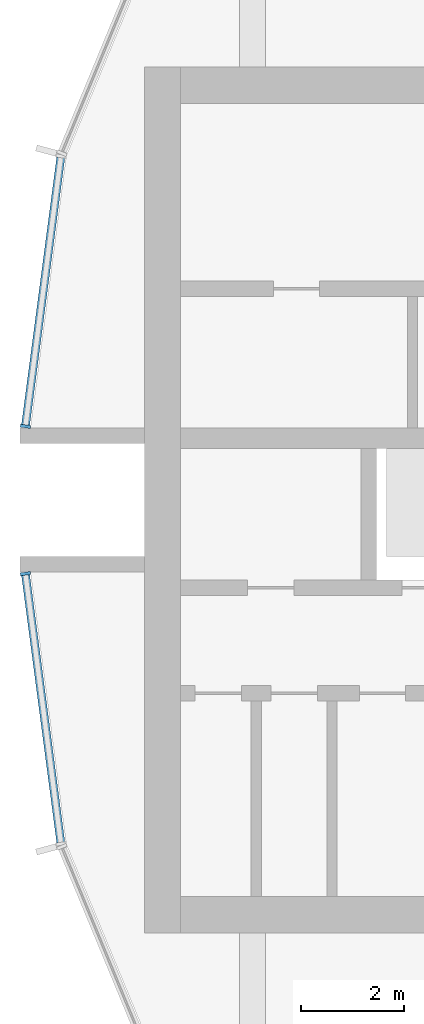
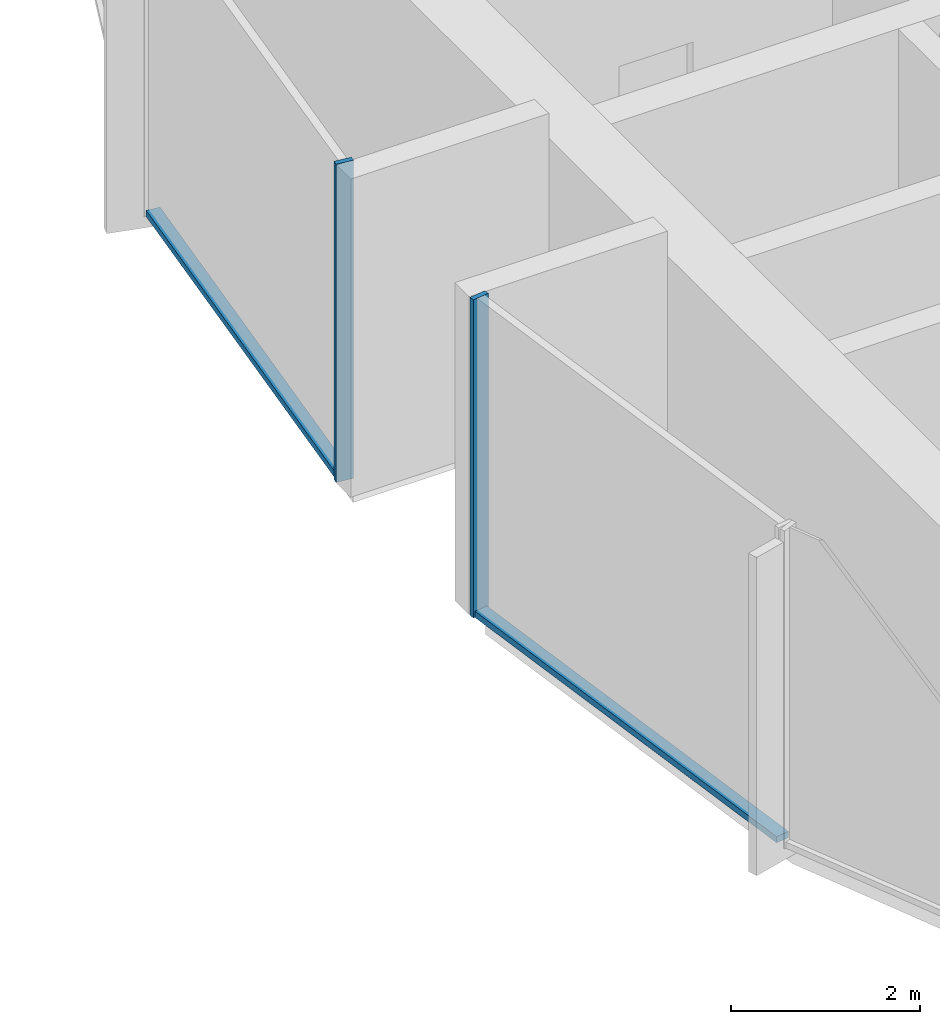
# One storey, part 3 of 15: 4 members, 2 elements without a shape of their own.
"""IFC4 building model written with IfcOpenShell, lengths in metres."""

from ifc_helpers import new_model, si_unit, direction, frame, origin, origin_2d, place, context, subcontext, project, spatial, rectangle, extrude, material, layer, layer_set, material_profile, profile_set, type_object, element, aggregate, save


model = new_model("IFC4")

# Units and contexts
model_context = context("Model", 3, precision=1e-05, world=origin(), true_north=direction((0.0, 1.0)))
body_context = subcontext(model_context, "Body", "Model", "MODEL_VIEW")
ifc_project = project(units=[si_unit("LENGTHUNIT", "METRE"), si_unit("AREAUNIT", "SQUARE_METRE"), si_unit("VOLUMEUNIT", "CUBIC_METRE"), si_unit("PLANEANGLEUNIT", "RADIAN"), si_unit("MASSUNIT", "GRAM", prefix="KILO")], contexts=[model_context])

# Site, building, storey
site_placement = place(None, origin())
site = spatial("IfcSite", under=ifc_project, at=site_placement, CompositionType="ELEMENT")
building_placement = place(site_placement, origin())
building = spatial("IfcBuilding", under=site, at=building_placement, Name="Torre Brocal", CompositionType="ELEMENT")
storey_placement = place(building_placement, frame((0.0, 0.0, 194.60009765625)))
storey = spatial("IfcBuildingStorey", under=building, at=storey_placement, Name="L45", CompositionType="ELEMENT", Elevation=194.60009765625)

# Curtain wall, member
ifc_material_1 = material(Name="Aluminium and glass", Category="aluminium")
ifc_layer = layer(ifc_material_1, 0.199951171875)
ifc_layer_set = layer_set([ifc_layer], Name="Aluminium and glass")
curtain_wall_type = type_object("IfcCurtainWallType", Name="CW-1B CURTAIN WALL 4100 HIGH", PredefinedType="NOTDEFINED", material=ifc_layer_set)
curtain_wall_1_placement = place(storey_placement, origin())
curtain_wall_1 = element("IfcCurtainWall", 1, at=curtain_wall_1_placement, inside=storey, type_object=curtain_wall_type, Name="CW-1B RUN 12", PredefinedType="NOTDEFINED")
ifc_material_2 = material(Name="Aluminium, dark anodised", Category="aluminium")
ifc_material_profile_1 = material_profile(ifc_material_2, rectangle(XDim=0.199951171875, YDim=0.06005859375, at=origin_2d()), Name="CW-1B MULLION 60X200")
ifc_profile_set_1 = profile_set([ifc_material_profile_1], Name="Aluminium, dark anodised")
member_type_1 = type_object("IfcMemberType", Name="CW-1B MULLION 60X200", PredefinedType="MULLION", material=ifc_profile_set_1)
member_1_placement = place(storey_placement, frame((54.2890625, 76.4296875, 0.0), z_axis=(0.0, 0.0, 1.0), x_axis=(0.991444861374, -0.13052619222, 0.0)))
member_1 = element("IfcMember", 2, at=member_1_placement, type_object=member_type_1, Name="CW1B-4 mullion 2", PredefinedType="MULLION", context=body_context, shape_type="SweptSolid", body=[
    extrude(rectangle(XDim=0.199951171875, YDim=0.06005859375, at=origin_2d()), origin(), (0.0, 0.0, 1.0), 4.099853515625),
])

curtain_wall_2_placement = place(storey_placement, origin())
curtain_wall_2 = element("IfcCurtainWall", 3, at=curtain_wall_2_placement, inside=storey, type_object=curtain_wall_type, Name="CW-1B RUN 13", PredefinedType="NOTDEFINED")
member_2_placement = place(storey_placement, frame((54.2890625, 73.5703125, 0.0), z_axis=(0.0, 0.0, 1.0), x_axis=(0.991444861374, 0.13052619222, 0.0)))
member_2 = element("IfcMember", 4, at=member_2_placement, type_object=member_type_1, Name="CW1B-4 mullion 1", PredefinedType="MULLION", context=body_context, shape_type="SweptSolid", body=[
    extrude(rectangle(XDim=0.199951171875, YDim=0.06005859375, at=origin_2d()), origin(), (0.0, 0.0, 1.0), 4.099853515625),
])

# Member
ifc_material_3 = material(Name="Aluminium, dark anodised", Category="aluminium")
ifc_material_profile_2 = material_profile(ifc_material_3, rectangle(XDim=0.159912109375, YDim=0.080078125, at=origin_2d()), Name="CW-1B TRANSOM 160X80")
ifc_profile_set_2 = profile_set([ifc_material_profile_2], Name="Aluminium, dark anodised")
member_type_2 = type_object("IfcMemberType", Name="CW-1B TRANSOM 160X80", PredefinedType="USERDEFINED", material=ifc_profile_set_2)
member_3_placement = place(storey_placement, frame((54.9755859375, 81.643798828125, 0.039794921875), z_axis=(-0.130542677827, -0.991442690863, 0.0), x_axis=(0.991442690863, -0.130542677827, 0.0)))
member_3 = element("IfcMember", 5, at=member_3_placement, type_object=member_type_2, Name="CW1B-4 transom 1.1", ObjectType="TRANSOM", PredefinedType="USERDEFINED", context=body_context, shape_type="SweptSolid", body=[
    extrude(rectangle(XDim=0.159912109375, YDim=0.080078125, at=origin_2d()), origin(), (0.0, 0.0, 1.0), 5.22900390625),
])

aggregate(curtain_wall_1, [member_1, member_3])

member_4_placement = place(storey_placement, frame((54.29296875, 73.54052734375, 0.039794921875), z_axis=(0.130542677827, -0.991442690863, 0.0), x_axis=(0.991442690863, 0.130542677827, 0.0)))
member_4 = element("IfcMember", 6, at=member_4_placement, type_object=member_type_2, Name="CW1B-4 transom 1.1", ObjectType="TRANSOM", PredefinedType="USERDEFINED", context=body_context, shape_type="SweptSolid", body=[
    extrude(rectangle(XDim=0.159912109375, YDim=0.080078125, at=origin_2d()), origin(), (0.0, 0.0, 1.0), 5.22900390625),
])

aggregate(curtain_wall_2, [member_2, member_4])

save(model, "model.ifc")
